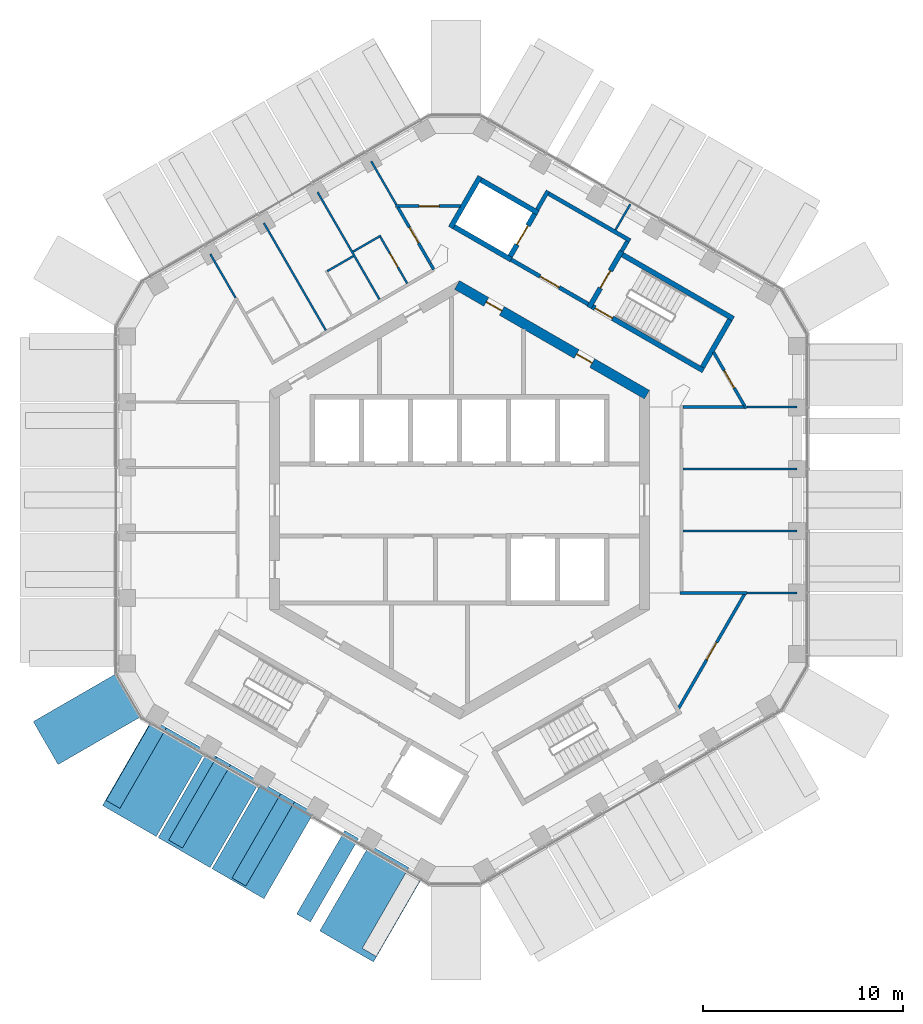
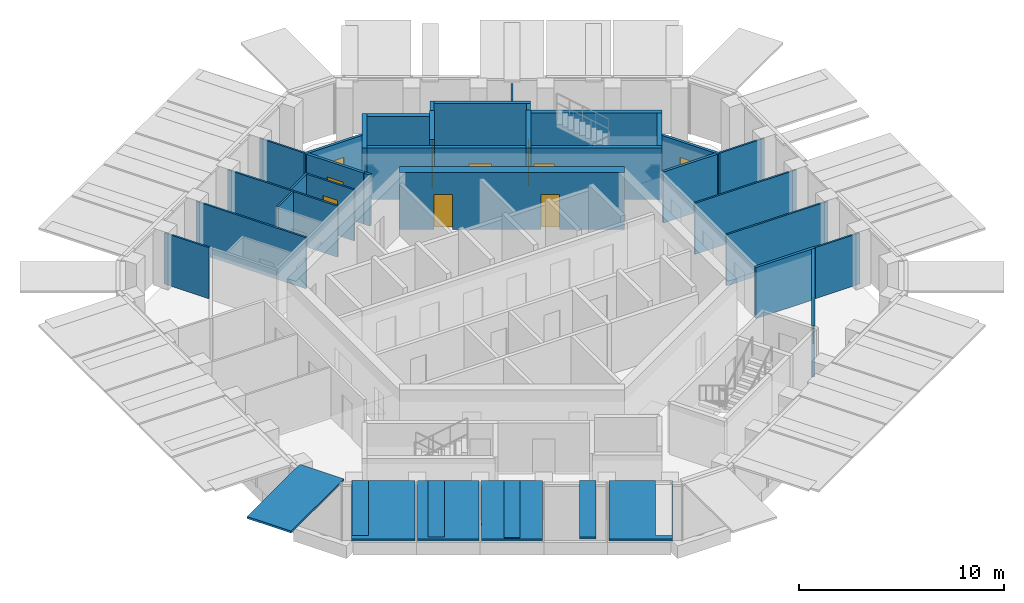
# One storey, part 14 of 17: 32 walls, 11 doors, 9 discrete accessories, 11 openings.
"""IFC4 building model written with IfcOpenShell, lengths in metres."""

from ifc_helpers import new_model, si_unit, direction, frame, frame_2d, origin, origin_2d, place, context, subcontext, project, spatial, polyline, rectangle, outline, extrude, material, layer, layer_set, type_object, element, fill, save


model = new_model("IFC4")

# Units and contexts
model_context = context("Model", 3, precision=1e-05, world=origin(), true_north=direction((0.0, 1.0)))
body_context = subcontext(model_context, "Body", "Model", "MODEL_VIEW")
ifc_project = project(units=[si_unit("LENGTHUNIT", "METRE"), si_unit("AREAUNIT", "SQUARE_METRE"), si_unit("VOLUMEUNIT", "CUBIC_METRE"), si_unit("PLANEANGLEUNIT", "RADIAN"), si_unit("MASSUNIT", "GRAM", prefix="KILO")], contexts=[model_context])

# Site, building, storey
site_placement = place(None, origin())
site = spatial("IfcSite", under=ifc_project, at=site_placement, CompositionType="ELEMENT")
building_placement = place(site_placement, origin())
building = spatial("IfcBuilding", under=site, at=building_placement, Name="Ayvan Gate Tower", CompositionType="ELEMENT")
storey_placement = place(building_placement, frame((0.0, 0.0, 232.5)))
storey = spatial("IfcBuildingStorey", under=building, at=storey_placement, Name="L62", CompositionType="ELEMENT", Elevation=232.5)

# Wall, openings, doors
ifc_material_1 = material(Name="Concrete C60/75", Category="concrete")
ifc_layer_1 = layer(ifc_material_1, 0.5)
ifc_layer_set_1 = layer_set([ifc_layer_1], Name="Concrete C60/75")
wall_type_1 = type_object("IfcWallType", Name="Core wall 500 C60/75", PredefinedType="SHEAR", material=ifc_layer_set_1)
wall_1_placement = place(storey_placement, frame((9.375, 5.268310546875, 0.0), z_axis=(0.0, 0.0, 1.0), x_axis=(-0.866023993627, 0.500002442456, 0.0)))
wall_1 = element("IfcWall", 1, at=wall_1_placement, inside=storey, type_object=wall_type_1, Name="CORE-L62-1", PredefinedType="SHEAR", context=body_context, shape_type="SweptSolid", body=[
    extrude(rectangle(XDim=10.9697265625, YDim=0.5, at=frame_2d((5.48486328125, 0.0))), origin(), (0.0, 0.0, 1.0), 3.39990234375),
])
opening_1_placement = place(wall_1_placement, frame((8.3828125, 0.0, 0.0)))
opening_1 = element("IfcOpeningElement", 2, at=opening_1_placement, cuts=wall_1, Name="Opening L62-D40", PredefinedType="OPENING", context=body_context, shape_type="SweptSolid", body=[
    extrude(rectangle(XDim=0.89990234375, YDim=2.10009765625, at=frame_2d((0.449951171875, 1.050048828125))), frame((0.0, 0.260009765625, 0.0), z_axis=(0.0, -1.0, 0.0), x_axis=(1.0, 0.0, 0.0)), (0.0, 0.0, 1.0), 0.52001953125),
])
opening_2_placement = place(wall_1_placement, frame((3.164794921875, 0.0, 0.0)))
opening_2 = element("IfcOpeningElement", 3, at=opening_2_placement, cuts=wall_1, Name="Opening L62-D41", PredefinedType="OPENING", context=body_context, shape_type="SweptSolid", body=[
    extrude(rectangle(XDim=0.89990234375, YDim=2.10009765625, at=frame_2d((0.449951171875, 1.050048828125))), frame((0.0, 0.260009765625, 0.0), z_axis=(0.0, -1.0, 0.0), x_axis=(1.0, 0.0, 0.0)), (0.0, 0.0, 1.0), 0.52001953125),
])
ifc_material_2 = material(Name="Timber door leaf", Category="wood")
door_type_1 = type_object("IfcDoorType", Name="DT-900", OperationType="NOTDEFINED", PredefinedType="DOOR", material=ifc_material_2)
door_1_placement = place(opening_1_placement, origin())
door_1 = element("IfcDoor", 4, at=door_1_placement, inside=storey, type_object=door_type_1, Name="CD-L62-40", OperationType="SINGLE_SWING_RIGHT", OverallHeight=2.10009765625, OverallWidth=0.89990234375, PredefinedType="DOOR", context=body_context, shape_type="SweptSolid", body=[
    extrude(rectangle(XDim=0.89990234375, YDim=2.10009765625, at=frame_2d((0.449951171875, 1.050048828125))), frame((0.0, 0.02490234375, 0.0), z_axis=(0.0, -1.0, 0.0), x_axis=(1.0, 0.0, 0.0)), (0.0, 0.0, 1.0), 0.050048828125),
])
fill(opening_1, door_1)
door_2_placement = place(opening_2_placement, origin())
door_2 = element("IfcDoor", 5, at=door_2_placement, inside=storey, type_object=door_type_1, Name="CD-L62-41", OperationType="SINGLE_SWING_LEFT", OverallHeight=2.10009765625, OverallWidth=0.89990234375, PredefinedType="DOOR", context=body_context, shape_type="SweptSolid", body=[
    extrude(rectangle(XDim=0.89990234375, YDim=2.10009765625, at=frame_2d((0.449951171875, 1.050048828125))), frame((0.0, 0.02490234375, 0.0), z_axis=(0.0, -1.0, 0.0), x_axis=(1.0, 0.0, 0.0)), (0.0, 0.0, 1.0), 0.050048828125),
])
fill(opening_2, door_2)

# Wall, opening, door
ifc_material_3 = material(Name="Plasterboard on steel stud", Category="steel")
ifc_layer_2 = layer(ifc_material_3, 0.14990234375)
ifc_layer_set_2 = layer_set([ifc_layer_2], Name="Plasterboard on steel stud")
wall_type_2 = type_object("IfcWallType", Name="WT-CORR-150", PredefinedType="PARTITIONING", material=ifc_layer_set_2)
wall_2_placement = place(storey_placement, frame((-3.1962890625, 14.69873046875, 0.0), z_axis=(0.0, 0.0, 1.0), x_axis=(1.0, 0.0, 0.0)))
wall_2 = element("IfcWall", 6, at=wall_2_placement, inside=storey, type_object=wall_type_2, Name="IW-L62-032", PredefinedType="PARTITIONING", context=body_context, shape_type="SweptSolid", body=[
    extrude(rectangle(XDim=3.243896484375, YDim=0.14990234375, at=frame_2d((1.6220703125, 0.0))), origin(), (0.0, 0.0, 1.0), 3.050048828125),
])
opening_3_placement = place(wall_2_placement, frame((1.1767578125, 0.0, 0.0)))
opening_3 = element("IfcOpeningElement", 7, at=opening_3_placement, cuts=wall_2, Name="Opening L62-D26", PredefinedType="OPENING", context=body_context, shape_type="SweptSolid", body=[
    extrude(rectangle(XDim=1.0, YDim=2.10009765625, at=frame_2d((0.5, 1.050048828125))), frame((0.0, 0.0849609375, 0.0), z_axis=(0.0, -1.0, 0.0), x_axis=(1.0, 0.0, 0.0)), (0.0, 0.0, 1.0), 0.169921875),
])
door_type_2 = type_object("IfcDoorType", Name="DT-1000", OperationType="NOTDEFINED", PredefinedType="DOOR", material=ifc_material_2)
door_3_placement = place(opening_3_placement, origin())
door_3 = element("IfcDoor", 8, at=door_3_placement, inside=storey, type_object=door_type_2, Name="ID-L62-026", OperationType="SINGLE_SWING_RIGHT", OverallHeight=2.10009765625, OverallWidth=1.0, PredefinedType="DOOR", context=body_context, shape_type="SweptSolid", body=[
    extrude(rectangle(XDim=1.0, YDim=2.10009765625, at=frame_2d((0.5, 1.050048828125))), frame((0.0, 0.02490234375, 0.0), z_axis=(0.0, -1.0, 0.0), x_axis=(1.0, 0.0, 0.0)), (0.0, 0.0, 1.0), 0.050048828125),
])
fill(opening_3, door_3)

wall_3_placement = place(storey_placement, frame((-1.474365234375, 11.84619140625, 0.0), z_axis=(0.0, 0.0, 1.0), x_axis=(-0.499989454812, 0.866031491966, 0.0)))
wall_3 = element("IfcWall", 9, at=wall_3_placement, inside=storey, type_object=wall_type_2, Name="IW-L62-037", PredefinedType="PARTITIONING", context=body_context, shape_type="SweptSolid", body=[
    extrude(rectangle(XDim=3.21875, YDim=0.14990234375, at=frame_2d((1.609375, 0.0))), origin(), (0.0, 0.0, 1.0), 3.050048828125),
])
opening_4_placement = place(wall_3_placement, frame((1.159423828125, 0.0, 0.0)))
opening_4 = element("IfcOpeningElement", 10, at=opening_4_placement, cuts=wall_3, Name="Opening L62-D32", PredefinedType="OPENING", context=body_context, shape_type="SweptSolid", body=[
    extrude(rectangle(XDim=0.89990234375, YDim=2.10009765625, at=frame_2d((0.449951171875, 1.050048828125))), frame((0.0, 0.0849609375, 0.0), z_axis=(0.0, -1.0, 0.0), x_axis=(1.0, 0.0, 0.0)), (0.0, 0.0, 1.0), 0.169921875),
])
door_4_placement = place(opening_4_placement, origin())
door_4 = element("IfcDoor", 11, at=door_4_placement, inside=storey, type_object=door_type_1, Name="ID-L62-032", OperationType="SINGLE_SWING_RIGHT", OverallHeight=2.10009765625, OverallWidth=0.89990234375, PredefinedType="DOOR", context=body_context, shape_type="SweptSolid", body=[
    extrude(rectangle(XDim=0.89990234375, YDim=2.10009765625, at=frame_2d((0.449951171875, 1.050048828125))), frame((0.0, 0.02490234375, 0.0), z_axis=(0.0, -1.0, 0.0), x_axis=(1.0, 0.0, 0.0)), (0.0, 0.0, 1.0), 0.050048828125),
])
fill(opening_4, door_4)

# Walls
wall_4_placement = place(storey_placement, frame((-1.46435546875, 11.8291015625, 0.0), z_axis=(0.0, 0.0, 1.0), x_axis=(0.499806183056, -0.866137275136, 0.0)))
element("IfcWall", 12, at=wall_4_placement, inside=storey, type_object=wall_type_2, Name="IW-L62-038", PredefinedType="PARTITIONING", context=body_context, shape_type="SweptSolid", body=[
    extrude(rectangle(XDim=0.336669921875, YDim=0.14990234375, at=frame_2d((0.16845703125, 0.0))), origin(), (0.0, 0.0, 1.0), 3.050048828125),
])
wall_5_placement = place(storey_placement, frame((11.02490234375, -4.646240234375, 0.0), z_axis=(0.0, 0.0, 1.0), x_axis=(1.0, 0.0, 0.0)))
element("IfcWall", 13, at=wall_5_placement, inside=storey, type_object=wall_type_2, Name="IW-L62-075", PredefinedType="PARTITIONING", context=body_context, shape_type="SweptSolid", body=[
    extrude(rectangle(XDim=3.34033203125, YDim=0.14990234375, at=frame_2d((1.670166015625, 0.0))), origin(), (0.0, 0.0, 1.0), 3.050048828125),
])

# Wall, opening, door
wall_6_placement = place(storey_placement, frame((12.705810546875, 7.390625, 0.0), z_axis=(0.0, 0.0, 1.0), x_axis=(0.499967850536, -0.866043964491, 0.0)))
wall_6 = element("IfcWall", 14, at=wall_6_placement, inside=storey, type_object=wall_type_2, Name="IW-L62-080", PredefinedType="PARTITIONING", context=body_context, shape_type="SweptSolid", body=[
    extrude(rectangle(XDim=3.243896484375, YDim=0.14990234375, at=frame_2d((1.6220703125, 0.0))), origin(), (0.0, 0.0, 1.0), 3.050048828125),
])
opening_5_placement = place(wall_6_placement, frame((1.067138671875, 0.0, 0.0)))
opening_5 = element("IfcOpeningElement", 15, at=opening_5_placement, cuts=wall_6, Name="Opening L62-D25", PredefinedType="OPENING", context=body_context, shape_type="SweptSolid", body=[
    extrude(rectangle(XDim=1.0, YDim=2.10009765625, at=frame_2d((0.5, 1.050048828125))), frame((0.0, 0.0849609375, 0.0), z_axis=(0.0, -1.0, 0.0), x_axis=(1.0, 0.0, 0.0)), (0.0, 0.0, 1.0), 0.169921875),
])
door_5_placement = place(opening_5_placement, origin())
door_5 = element("IfcDoor", 16, at=door_5_placement, inside=storey, type_object=door_type_2, Name="ID-L62-025", OperationType="SINGLE_SWING_LEFT", OverallHeight=2.10009765625, OverallWidth=1.0, PredefinedType="DOOR", context=body_context, shape_type="SweptSolid", body=[
    extrude(rectangle(XDim=1.0, YDim=2.10009765625, at=frame_2d((0.5, 1.050048828125))), frame((0.0, 0.02490234375, 0.0), z_axis=(0.0, -1.0, 0.0), x_axis=(1.0, 0.0, 0.0)), (0.0, 0.0, 1.0), 0.050048828125),
])
fill(opening_5, door_5)

# Wall
wall_7_placement = place(storey_placement, frame((14.215087890625, 4.646240234375, 0.0), z_axis=(0.0, 0.0, 1.0), x_axis=(-1.0, 0.0, 0.0)))
element("IfcWall", 17, at=wall_7_placement, inside=storey, type_object=wall_type_2, Name="IW-L62-082", PredefinedType="PARTITIONING", context=body_context, shape_type="SweptSolid", body=[
    extrude(rectangle(XDim=3.040283203125, YDim=0.14990234375, at=frame_2d((1.52001953125, 0.0))), origin(), (0.0, 0.0, 1.0), 3.050048828125),
])

# Wall, opening, door
wall_8_placement = place(storey_placement, frame((14.252685546875, -4.711181640625, 0.0), z_axis=(0.0, 0.0, 1.0), x_axis=(-0.500008173903, -0.866020684528, 0.0)))
wall_8 = element("IfcWall", 18, at=wall_8_placement, inside=storey, type_object=wall_type_2, Name="IW-L62-084", PredefinedType="PARTITIONING", context=body_context, shape_type="SweptSolid", body=[
    extrude(rectangle(XDim=6.5830078125, YDim=0.14990234375, at=frame_2d((3.29150390625, 0.0))), origin(), (0.0, 0.0, 1.0), 3.050048828125),
])
opening_6_placement = place(wall_8_placement, frame((2.79150390625, 0.0, 0.0)))
opening_6 = element("IfcOpeningElement", 19, at=opening_6_placement, cuts=wall_8, Name="Opening L62-D31", PredefinedType="OPENING", context=body_context, shape_type="SweptSolid", body=[
    extrude(rectangle(XDim=1.0, YDim=2.10009765625, at=frame_2d((0.5, 1.050048828125))), frame((0.0, 0.0849609375, 0.0), z_axis=(0.0, -1.0, 0.0), x_axis=(1.0, 0.0, 0.0)), (0.0, 0.0, 1.0), 0.169921875),
])
door_6_placement = place(opening_6_placement, origin())
door_6 = element("IfcDoor", 20, at=door_6_placement, inside=storey, type_object=door_type_2, Name="ID-L62-031", OperationType="SINGLE_SWING_LEFT", OverallHeight=2.10009765625, OverallWidth=1.0, PredefinedType="DOOR", context=body_context, shape_type="SweptSolid", body=[
    extrude(rectangle(XDim=1.0, YDim=2.10009765625, at=frame_2d((0.5, 1.050048828125))), frame((0.0, 0.02490234375, 0.0), z_axis=(0.0, -1.0, 0.0), x_axis=(1.0, 0.0, 0.0)), (0.0, 0.0, 1.0), 0.050048828125),
])
fill(opening_6, door_6)

# Walls
ifc_layer_3 = layer(ifc_material_3, 0.10009765625)
ifc_layer_set_3 = layer_set([ifc_layer_3], Name="Plasterboard on steel stud")
wall_type_3 = type_object("IfcWallType", Name="WT-PART-100", PredefinedType="PARTITIONING", material=ifc_layer_set_3)
wall_9_placement = place(storey_placement, frame((-12.467529296875, 12.3017578125, 0.0), z_axis=(0.0, 0.0, 1.0), x_axis=(0.500032459767, -0.866006662318, 0.0)))
element("IfcWall", 21, at=wall_9_placement, inside=storey, type_object=wall_type_3, Name="IW-L62-003", PredefinedType="PARTITIONING", context=body_context, shape_type="SweptSolid", body=[
    extrude(rectangle(XDim=2.522216796875, YDim=0.10009765625, at=frame_2d((1.26123046875, 0.0))), origin(), (0.0, 0.0, 1.0), 3.050048828125),
])
wall_10_placement = place(storey_placement, frame((-6.688720703125, 8.48779296875, 0.0), z_axis=(0.0, 0.0, 1.0), x_axis=(-0.499997752344, 0.866026701465, 0.0)))
element("IfcWall", 22, at=wall_10_placement, inside=storey, type_object=wall_type_3, Name="IW-L62-020", PredefinedType="PARTITIONING", context=body_context, shape_type="SweptSolid", body=[
    extrude(rectangle(XDim=6.1923828125, YDim=0.10009765625, at=frame_2d((3.09619140625, 0.0))), origin(), (0.0, 0.0, 1.0), 3.050048828125),
])
wall_11_placement = place(storey_placement, frame((-7.1025390625, 15.3994140625, 0.0), z_axis=(0.0, 0.0, 1.0), x_axis=(0.500027320894, -0.866009629484, 0.0)))
element("IfcWall", 23, at=wall_11_placement, inside=storey, type_object=wall_type_3, Name="IW-L62-023", PredefinedType="PARTITIONING", context=body_context, shape_type="SweptSolid", body=[
    extrude(rectangle(XDim=6.192626953125, YDim=0.10009765625, at=frame_2d((3.09619140625, 0.0))), origin(), (0.0, 0.0, 1.0), 3.050048828125),
])
wall_12_placement = place(storey_placement, frame((-5.31201171875, 12.1982421875, 0.0), z_axis=(0.0, 0.0, 1.0), x_axis=(-0.866031096941, -0.499990139034, 0.0)))
element("IfcWall", 24, at=wall_12_placement, inside=storey, type_object=wall_type_3, Name="IW-L62-024", PredefinedType="PARTITIONING", context=body_context, shape_type="SweptSolid", body=[
    extrude(rectangle(XDim=1.5, YDim=0.10009765625, at=frame_2d((0.75, 0.0))), origin(), (0.0, 0.0, 1.0), 3.050048828125),
])
wall_13_placement = place(storey_placement, frame((-3.939697265625, 13.221435546875, 0.0), z_axis=(0.0, 0.0, 1.0), x_axis=(-0.866028054938, -0.499995408039, 0.0)))
element("IfcWall", 25, at=wall_13_placement, inside=storey, type_object=wall_type_3, Name="IW-L62-027", PredefinedType="PARTITIONING", context=body_context, shape_type="SweptSolid", body=[
    extrude(rectangle(XDim=1.60009765625, YDim=0.10009765625, at=frame_2d((0.800048828125, 0.0))), origin(), (0.0, 0.0, 1.0), 3.050048828125),
])
wall_14_placement = place(storey_placement, frame((-3.15869140625, 14.763916015625, 0.0), z_axis=(0.0, 0.0, 1.0), x_axis=(-0.500032459767, 0.866006662318, 0.0)))
element("IfcWall", 26, at=wall_14_placement, inside=storey, type_object=wall_type_3, Name="IW-L62-031", PredefinedType="PARTITIONING", context=body_context, shape_type="SweptSolid", body=[
    extrude(rectangle(XDim=2.522216796875, YDim=0.10009765625, at=frame_2d((1.26123046875, 0.0))), origin(), (0.0, 0.0, 1.0), 3.050048828125),
])

# Wall, opening, door
wall_15_placement = place(storey_placement, frame((-2.62060546875, 10.83642578125, 0.0), z_axis=(0.0, 0.0, 1.0), x_axis=(-0.499967368674, 0.86604424267, 0.0)))
wall_15 = element("IfcWall", 27, at=wall_15_placement, inside=storey, type_object=wall_type_3, Name="IW-L62-033", PredefinedType="PARTITIONING", context=body_context, shape_type="SweptSolid", body=[
    extrude(rectangle(XDim=2.675048828125, YDim=0.10009765625, at=frame_2d((1.33740234375, 0.0))), origin(), (0.0, 0.0, 1.0), 3.050048828125),
])
opening_7_placement = place(wall_15_placement, frame((0.9375, 0.0, 0.0)))
opening_7 = element("IfcOpeningElement", 28, at=opening_7_placement, cuts=wall_15, Name="Opening L62-D33", PredefinedType="OPENING", context=body_context, shape_type="SweptSolid", body=[
    extrude(rectangle(XDim=0.800048828125, YDim=2.10009765625, at=frame_2d((0.39990234375, 1.050048828125))), frame((0.0, 0.06005859375, 0.0), z_axis=(0.0, -1.0, 0.0), x_axis=(1.0, 0.0, 0.0)), (0.0, 0.0, 1.0), 0.1201171875),
])
door_type_3 = type_object("IfcDoorType", Name="DT-800", OperationType="NOTDEFINED", PredefinedType="DOOR", material=ifc_material_2)
door_7_placement = place(opening_7_placement, origin())
door_7 = element("IfcDoor", 29, at=door_7_placement, inside=storey, type_object=door_type_3, Name="ID-L62-033", OperationType="SINGLE_SWING_LEFT", OverallHeight=2.10009765625, OverallWidth=0.800048828125, PredefinedType="DOOR", context=body_context, shape_type="SweptSolid", body=[
    extrude(rectangle(XDim=0.800048828125, YDim=2.10009765625, at=frame_2d((0.39990234375, 1.050048828125))), frame((0.0, 0.02490234375, 0.0), z_axis=(0.0, -1.0, 0.0), x_axis=(1.0, 0.0, 0.0)), (0.0, 0.0, 1.0), 0.050048828125),
])
fill(opening_7, door_7)

# Walls
wall_16_placement = place(storey_placement, frame((7.800048828125, 13.510009765625, 0.0), z_axis=(0.0, 0.0, 1.0), x_axis=(0.500048082433, 0.865997641599, 0.0)))
element("IfcWall", 30, at=wall_16_placement, inside=storey, type_object=wall_type_3, Name="IW-L62-068", PredefinedType="PARTITIONING", context=body_context, shape_type="SweptSolid", body=[
    extrude(rectangle(XDim=1.470947265625, YDim=0.10009765625, at=frame_2d((0.7353515625, 0.0))), origin(), (0.0, 0.0, 1.0), 3.050048828125),
])
for number, where, z_axis, x_axis, name in (
    (31, (11.175048828125, -1.548828125, 0.0), (0.0, 0.0, 1.0), (1.0, 0.0, 0.0), "IW-L62-076"),
    (32, (11.175048828125, 1.548828125, 0.0), (0.0, 0.0, 1.0), (1.0, 0.0, 0.0), "IW-L62-078"),
):
    element("IfcWall", number, at=place(storey_placement, frame(where, z_axis=z_axis, x_axis=x_axis)), inside=storey, type_object=wall_type_3, Name=name, PredefinedType="PARTITIONING", context=body_context, shape_type="SweptSolid", body=[
        extrude(rectangle(XDim=5.71240234375, YDim=0.10009765625, at=frame_2d((2.856201171875, 0.0))), origin(), (0.0, 0.0, 1.0), 3.050048828125),
    ])
wall_17_placement = place(storey_placement, frame((14.365234375, 4.646240234375, 0.0), z_axis=(0.0, 0.0, 1.0), x_axis=(1.0, 0.0, 0.0)))
element("IfcWall", 33, at=wall_17_placement, inside=storey, type_object=wall_type_3, Name="IW-L62-083", PredefinedType="PARTITIONING", context=body_context, shape_type="SweptSolid", body=[
    extrude(rectangle(XDim=2.522216796875, YDim=0.10009765625, at=frame_2d((1.26123046875, 0.0))), origin(), (0.0, 0.0, 1.0), 3.050048828125),
])
wall_18_placement = place(storey_placement, frame((16.887451171875, -4.646240234375, 0.0), z_axis=(0.0, 0.0, 1.0), x_axis=(-1.0, 0.0, 0.0)))
element("IfcWall", 34, at=wall_18_placement, inside=storey, type_object=wall_type_3, Name="IW-L62-085", PredefinedType="PARTITIONING", context=body_context, shape_type="SweptSolid", body=[
    extrude(rectangle(XDim=2.5224609375, YDim=0.10009765625, at=frame_2d((1.26123046875, 0.0))), origin(), (0.0, 0.0, 1.0), 3.050048828125),
])
ifc_layer_4 = layer(ifc_material_3, 0.199951171875)
ifc_layer_set_4 = layer_set([ifc_layer_4], Name="Plasterboard on steel stud")
wall_type_4 = type_object("IfcWallType", Name="WT-RATED-200", PredefinedType="PARTITIONING", material=ifc_layer_set_4)
wall_19_placement = place(storey_placement, frame((3.885009765625, 14.52880859375, 0.0), z_axis=(0.0, 0.0, 1.0), x_axis=(0.499997628298, 0.866026773083, 0.0)))
element("IfcWall", 35, at=wall_19_placement, inside=storey, type_object=wall_type_4, Name="IW-L62-054", PredefinedType="PARTITIONING", context=body_context, shape_type="SweptSolid", body=[
    extrude(rectangle(XDim=1.0751953125, YDim=0.199951171875, at=frame_2d((0.53759765625, 0.0))), origin(), (0.0, 0.0, 1.0), 3.050048828125),
])
wall_20_placement = place(storey_placement, frame((4.458984375, 15.323486328125, 0.0), z_axis=(0.0, 0.0, 1.0), x_axis=(0.866016039709, -0.500016218704, 0.0)))
element("IfcWall", 36, at=wall_20_placement, inside=storey, type_object=wall_type_4, Name="IW-L62-055", PredefinedType="PARTITIONING", context=body_context, shape_type="SweptSolid", body=[
    extrude(rectangle(XDim=4.699951171875, YDim=0.199951171875, at=frame_2d((2.35009765625, 0.0))), origin(), (0.0, 0.0, 1.0), 3.050048828125),
])

# Wall, opening, door
wall_21_placement = place(storey_placement, frame((6.4345703125, 9.794921875, 0.0), z_axis=(0.0, 0.0, 1.0), x_axis=(-0.866012907634, 0.500021643343, 0.0)))
wall_21 = element("IfcWall", 37, at=wall_21_placement, inside=storey, type_object=wall_type_4, Name="IW-L62-060", PredefinedType="PARTITIONING", context=body_context, shape_type="SweptSolid", body=[
    extrude(rectangle(XDim=4.449951171875, YDim=0.199951171875, at=frame_2d((2.22509765625, 0.0))), origin(), (0.0, 0.0, 1.0), 3.050048828125),
])
opening_8_placement = place(wall_21_placement, frame((1.675048828125, 0.0, 0.0)))
opening_8 = element("IfcOpeningElement", 38, at=opening_8_placement, cuts=wall_21, Name="Opening L62-D13", PredefinedType="OPENING", context=body_context, shape_type="SweptSolid", body=[
    extrude(rectangle(XDim=1.10009765625, YDim=2.10009765625, at=frame_2d((0.550048828125, 1.050048828125))), frame((0.0, 0.10986328125, 0.0), z_axis=(0.0, -1.0, 0.0), x_axis=(1.0, 0.0, 0.0)), (0.0, 0.0, 1.0), 0.219970703125),
])
door_type_4 = type_object("IfcDoorType", Name="DT-1100", OperationType="NOTDEFINED", PredefinedType="DOOR", material=ifc_material_2)
door_8_placement = place(opening_8_placement, origin())
door_8 = element("IfcDoor", 39, at=door_8_placement, inside=storey, type_object=door_type_4, Name="ID-L62-013", OperationType="SINGLE_SWING_LEFT", OverallHeight=2.10009765625, OverallWidth=1.10009765625, PredefinedType="DOOR", context=body_context, shape_type="SweptSolid", body=[
    extrude(rectangle(XDim=1.10009765625, YDim=2.10009765625, at=frame_2d((0.550048828125, 1.050048828125))), frame((0.0, 0.02490234375, 0.0), z_axis=(0.0, -1.0, 0.0), x_axis=(1.0, 0.0, 0.0)), (0.0, 0.0, 1.0), 0.050048828125),
])
fill(opening_8, door_8)

# Walls
wall_22_placement = place(storey_placement, frame((8.392822265625, 12.936767578125, 0.0), z_axis=(0.0, 0.0, 1.0), x_axis=(-0.500065409566, -0.86598763626, 0.0)))
element("IfcWall", 40, at=wall_22_placement, inside=storey, type_object=wall_type_4, Name="IW-L62-070", PredefinedType="PARTITIONING", context=body_context, shape_type="SweptSolid", body=[
    extrude(rectangle(XDim=0.5751953125, YDim=0.199951171875, at=frame_2d((0.28759765625, 0.0))), origin(), (0.0, 0.0, 1.0), 3.050048828125),
])
ifc_material_4 = material(Name="Concrete C50/60", Category="concrete")
ifc_layer_5 = layer(ifc_material_4, 0.25)
ifc_layer_set_5 = layer_set([ifc_layer_5], Name="Concrete C50/60")
wall_type_5 = type_object("IfcWallType", Name="WT-RC-250", PredefinedType="SHEAR", material=ifc_layer_set_5)
wall_23_placement = place(storey_placement, frame((-0.447998046875, 13.624267578125, 0.0), z_axis=(0.0, 0.0, 1.0), x_axis=(0.500037662692, 0.866003658127, 0.0)))
element("IfcWall", 41, at=wall_23_placement, inside=storey, type_object=wall_type_5, Name="IW-L62-042", PredefinedType="SHEAR", context=body_context, shape_type="SweptSolid", body=[
    extrude(rectangle(XDim=2.949951171875, YDim=0.25, at=frame_2d((1.47509765625, 0.0))), origin(), (0.0, 0.0, 1.0), 3.050048828125),
])
for number, where, z_axis, x_axis, name in (
    (42, (1.072998046875, 16.00830078125, 0.0), (0.0, 0.0, 1.0), (0.866040211805, -0.499974350878, 0.0), "IW-L62-046"),
    (43, (2.580810546875, 12.02001953125, 0.0), (0.0, 0.0, 1.0), (-0.866040211805, 0.499974350878, 0.0), "IW-L62-050"),
):
    element("IfcWall", number, at=place(storey_placement, frame(where, z_axis=z_axis, x_axis=x_axis)), inside=storey, type_object=wall_type_5, Name=name, PredefinedType="SHEAR", context=body_context, shape_type="SweptSolid", body=[
        extrude(rectangle(XDim=3.300048828125, YDim=0.25, at=frame_2d((1.64990234375, 0.0))), origin(), (0.0, 0.0, 1.0), 3.050048828125),
    ])

# Wall, opening, door
wall_24_placement = place(storey_placement, frame((2.534912109375, 12.19091796875, 0.0), z_axis=(0.0, 0.0, 1.0), x_axis=(0.500061746146, 0.865989751695, 0.0)))
wall_24 = element("IfcWall", 44, at=wall_24_placement, inside=storey, type_object=wall_type_5, Name="IW-L62-051", PredefinedType="SHEAR", context=body_context, shape_type="SweptSolid", body=[
    extrude(rectangle(XDim=2.449951171875, YDim=0.25, at=frame_2d((1.22509765625, 0.0))), origin(), (0.0, 0.0, 1.0), 3.39990234375),
])
opening_9_placement = place(wall_24_placement, frame((0.675048828125, 0.0, 0.0)))
opening_9 = element("IfcOpeningElement", 45, at=opening_9_placement, cuts=wall_24, Name="Opening L62-LD-FF1", PredefinedType="OPENING", context=body_context, shape_type="SweptSolid", body=[
    extrude(rectangle(XDim=1.10009765625, YDim=2.10009765625, at=frame_2d((0.550048828125, 1.050048828125))), frame((0.0, 0.135009765625, 0.0), z_axis=(0.0, -1.0, 0.0), x_axis=(1.0, 0.0, 0.0)), (0.0, 0.0, 1.0), 0.27001953125),
])
ifc_material_5 = material(Name="Stainless steel landing door", Category="steel")
door_type_5 = type_object("IfcDoorType", Name="DT-LANDING-1100", OperationType="SLIDING_TO_LEFT", PredefinedType="DOOR", material=ifc_material_5)
door_9_placement = place(opening_9_placement, origin())
door_9 = element("IfcDoor", 46, at=door_9_placement, inside=storey, type_object=door_type_5, Name="ID-L62-014", OperationType="SLIDING_TO_LEFT", OverallHeight=2.10009765625, OverallWidth=1.10009765625, PredefinedType="DOOR", context=body_context, shape_type="SweptSolid", body=[
    extrude(rectangle(XDim=1.10009765625, YDim=2.10009765625, at=frame_2d((0.550048828125, 1.050048828125))), frame((0.0, 0.02490234375, 0.0), z_axis=(0.0, -1.0, 0.0), x_axis=(1.0, 0.0, 0.0)), (0.0, 0.0, 1.0), 0.050048828125),
])
fill(opening_9, door_9)

wall_25_placement = place(storey_placement, frame((6.480224609375, 9.624267578125, 0.0), z_axis=(0.0, 0.0, 1.0), x_axis=(0.500017246033, 0.866015446554, 0.0)))
wall_25 = element("IfcWall", 47, at=wall_25_placement, inside=storey, type_object=wall_type_5, Name="IW-L62-061", PredefinedType="SHEAR", context=body_context, shape_type="SweptSolid", body=[
    extrude(rectangle(XDim=3.25, YDim=0.25, at=frame_2d((1.625, 0.0))), origin(), (0.0, 0.0, 1.0), 3.050048828125),
])
opening_10_placement = place(wall_25_placement, frame((1.125, 0.0, 0.0)))
opening_10 = element("IfcOpeningElement", 48, at=opening_10_placement, cuts=wall_25, Name="Opening L62-D12", PredefinedType="OPENING", context=body_context, shape_type="SweptSolid", body=[
    extrude(rectangle(XDim=1.0, YDim=2.10009765625, at=frame_2d((0.5, 1.050048828125))), frame((0.0, 0.135009765625, 0.0), z_axis=(0.0, -1.0, 0.0), x_axis=(1.0, 0.0, 0.0)), (0.0, 0.0, 1.0), 0.27001953125),
])
door_10_placement = place(opening_10_placement, origin())
door_10 = element("IfcDoor", 49, at=door_10_placement, inside=storey, type_object=door_type_2, Name="ID-L62-012", OperationType="SINGLE_SWING_RIGHT", OverallHeight=2.10009765625, OverallWidth=1.0, PredefinedType="DOOR", context=body_context, shape_type="SweptSolid", body=[
    extrude(rectangle(XDim=1.0, YDim=2.10009765625, at=frame_2d((0.5, 1.050048828125))), frame((0.0, 0.02490234375, 0.0), z_axis=(0.0, -1.0, 0.0), x_axis=(1.0, 0.0, 0.0)), (0.0, 0.0, 1.0), 0.050048828125),
])
fill(opening_10, door_10)

# Wall
wall_26_placement = place(storey_placement, frame((8.151123046875, 12.26806640625, 0.0), z_axis=(0.0, 0.0, 1.0), x_axis=(0.866025499775, -0.499999833739, 0.0)))
element("IfcWall", 50, at=wall_26_placement, inside=storey, type_object=wall_type_5, Name="IW-L62-069", PredefinedType="SHEAR", context=body_context, shape_type="SweptSolid", body=[
    extrude(rectangle(XDim=6.39990234375, YDim=0.25, at=frame_2d((3.199951171875, 0.0))), origin(), (0.0, 0.0, 1.0), 3.050048828125),
])

# Wall, opening, door
wall_27_placement = place(storey_placement, frame((12.193603515625, 6.469970703125, 0.0), z_axis=(0.0, 0.0, 1.0), x_axis=(-0.866025499775, 0.499999833739, 0.0)))
wall_27 = element("IfcWall", 51, at=wall_27_placement, inside=storey, type_object=wall_type_5, Name="IW-L62-079", PredefinedType="SHEAR", context=body_context, shape_type="SweptSolid", body=[
    extrude(rectangle(XDim=6.39990234375, YDim=0.25, at=frame_2d((3.199951171875, 0.0))), origin(), (0.0, 0.0, 1.0), 3.050048828125),
])
opening_11_placement = place(wall_27_placement, frame((5.25, 0.0, 0.0)))
opening_11 = element("IfcOpeningElement", 52, at=opening_11_placement, cuts=wall_27, Name="Opening L62-D11", PredefinedType="OPENING", context=body_context, shape_type="SweptSolid", body=[
    extrude(rectangle(XDim=1.0, YDim=2.10009765625, at=frame_2d((0.5, 1.050048828125))), frame((0.0, 0.135009765625, 0.0), z_axis=(0.0, -1.0, 0.0), x_axis=(1.0, 0.0, 0.0)), (0.0, 0.0, 1.0), 0.27001953125),
])
door_11_placement = place(opening_11_placement, origin())
door_11 = element("IfcDoor", 53, at=door_11_placement, inside=storey, type_object=door_type_2, Name="ID-L62-011", OperationType="SINGLE_SWING_LEFT", OverallHeight=2.10009765625, OverallWidth=1.0, PredefinedType="DOOR", context=body_context, shape_type="SweptSolid", body=[
    extrude(rectangle(XDim=1.0, YDim=2.10009765625, at=frame_2d((0.5, 1.050048828125))), frame((0.0, 0.02490234375, 0.0), z_axis=(0.0, -1.0, 0.0), x_axis=(1.0, 0.0, 0.0)), (0.0, 0.0, 1.0), 0.050048828125),
])
fill(opening_11, door_11)

# Wall
wall_28_placement = place(storey_placement, frame((12.14794921875, 6.640869140625, 0.0), z_axis=(0.0, 0.0, 1.0), x_axis=(0.500034990121, 0.866005201286, 0.0)))
element("IfcWall", 54, at=wall_28_placement, inside=storey, type_object=wall_type_5, Name="IW-L62-081", PredefinedType="SHEAR", context=body_context, shape_type="SweptSolid", body=[
    extrude(rectangle(XDim=2.749755859375, YDim=0.25, at=frame_2d((1.375, 0.0))), origin(), (0.0, 0.0, 1.0), 3.050048828125),
])

# Discrete accessories
ifc_material_6 = material(Name="Stainless steel 316", Category="steel")
ifc_layer_6 = layer(ifc_material_6, 0.1201171875)
ifc_layer_set_6 = layer_set([ifc_layer_6], Name="Stainless steel 316")
discrete_accessory_type = type_object("IfcDiscreteAccessoryType", Name="Fin carrier bracket", PredefinedType="BRACKET", material=ifc_layer_set_6)
discrete_accessory_1_placement = place(storey_placement, frame((-16.167236328125, -13.204345703125, 3.280029296875), z_axis=(0.0, 0.0, 1.0), x_axis=(0.866025403784, -0.5, 0.0)))
element("IfcDiscreteAccessory", 55, at=discrete_accessory_1_placement, inside=storey, type_object=discrete_accessory_type, Name="Fin carrier 228", PredefinedType="BRACKET", context=body_context, shape_type="SweptSolid", body=[
    extrude(rectangle(XDim=0.800048828125, YDim=4.662841796875, at=origin_2d()), origin(), (0.0, 0.0, 1.0), 0.1201171875),
])
discrete_accessory_2_placement = place(storey_placement, frame((-12.99951171875, -15.12353515625, 3.280029296875), z_axis=(0.0, 0.0, 1.0), x_axis=(0.866025403784, -0.5, 0.0)))
element("IfcDiscreteAccessory", 56, at=discrete_accessory_2_placement, inside=storey, type_object=discrete_accessory_type, Name="Fin carrier 293", PredefinedType="BRACKET", context=body_context, shape_type="SweptSolid", body=[
    extrude(rectangle(XDim=0.800048828125, YDim=4.819091796875, at=origin_2d()), origin(), (0.0, 0.0, 1.0), 0.1201171875),
])
discrete_accessory_3_placement = place(storey_placement, frame((-9.8125, -16.995849609375, 3.280029296875), z_axis=(0.0, 0.0, 1.0), x_axis=(0.866025403784, -0.5, 0.0)))
element("IfcDiscreteAccessory", 57, at=discrete_accessory_3_placement, inside=storey, type_object=discrete_accessory_type, Name="Fin carrier 357", PredefinedType="BRACKET", context=body_context, shape_type="SweptSolid", body=[
    extrude(rectangle(XDim=0.800048828125, YDim=4.875, at=origin_2d()), origin(), (0.0, 0.0, 1.0), 0.1201171875),
])
discrete_accessory_4_placement = place(storey_placement, frame((-6.597412109375, -18.81982421875, 3.280029296875), z_axis=(0.0, 0.0, 1.0), x_axis=(0.866025403784, -0.5, 0.0)))
element("IfcDiscreteAccessory", 58, at=discrete_accessory_4_placement, inside=storey, type_object=discrete_accessory_type, Name="Fin carrier 421", PredefinedType="BRACKET", context=body_context, shape_type="SweptSolid", body=[
    extrude(rectangle(XDim=0.800048828125, YDim=4.819091796875, at=origin_2d()), origin(), (0.0, 0.0, 1.0), 0.1201171875),
])
discrete_accessory_5_placement = place(storey_placement, frame((0.0, 0.0, 3.280029296875)))
element("IfcDiscreteAccessory", 59, at=discrete_accessory_5_placement, inside=storey, type_object=discrete_accessory_type, Name="Fin carrier 1153", PredefinedType="BRACKET", context=body_context, shape_type="SweptSolid", body=[
    extrude(outline(polyline([(-21.322998046875, -11.083251953125), (-16.869873046875, -8.51220703125), (-15.62841796875, -10.662109375), (-20.081787109375, -13.233154296875), (-21.322998046875, -11.083251953125)])), origin(), (0.0, 0.0, 1.0), 0.119873046875),
])
discrete_accessory_6_placement = place(storey_placement, frame((0.0, 0.0, 3.280029296875)))
element("IfcDiscreteAccessory", 60, at=discrete_accessory_6_placement, inside=storey, type_object=discrete_accessory_type, Name="Fin carrier 1154", PredefinedType="BRACKET", context=body_context, shape_type="SweptSolid", body=[
    extrude(outline(polyline([(-12.6826171875, -12.524169921875), (-15.170166015625, -16.83251953125), (-17.859130859375, -15.280029296875), (-15.37158203125, -10.9716796875), (-15.347900390625, -10.985107421875), (-17.679443359375, -15.023193359375), (-16.986572265625, -15.42333984375), (-14.6552734375, -11.38525390625), (-12.6826171875, -12.524169921875)])), origin(), (0.0, 0.0, 1.0), 0.119873046875),
])
discrete_accessory_7_placement = place(storey_placement, frame((0.0, 0.0, 3.280029296875)))
element("IfcDiscreteAccessory", 61, at=discrete_accessory_7_placement, inside=storey, type_object=discrete_accessory_type, Name="Fin carrier 1155", PredefinedType="BRACKET", context=body_context, shape_type="SweptSolid", body=[
    extrude(outline(polyline([(-9.988525390625, -14.07958984375), (-12.47607421875, -18.387939453125), (-15.074951171875, -16.887451171875), (-12.58740234375, -12.5791015625), (-12.14111328125, -12.8369140625), (-14.55078125, -17.01025390625), (-13.85791015625, -17.410400390625), (-11.4482421875, -13.23681640625), (-9.988525390625, -14.07958984375)])), origin(), (0.0, 0.0, 1.0), 0.119873046875),
])
discrete_accessory_8_placement = place(storey_placement, frame((0.0, 0.0, 3.280029296875)))
element("IfcDiscreteAccessory", 62, at=discrete_accessory_8_placement, inside=storey, type_object=discrete_accessory_type, Name="Fin carrier 1156", PredefinedType="BRACKET", context=body_context, shape_type="SweptSolid", body=[
    extrude(outline(polyline([(-12.380615234375, -18.443115234375), (-9.893310546875, -14.134521484375), (-7.294189453125, -15.635009765625), (-9.78173828125, -19.943603515625), (-12.380615234375, -18.443115234375)])), origin(), (0.0, 0.0, 1.0), 0.119873046875),
])
discrete_accessory_9_placement = place(storey_placement, frame((0.0, 0.0, 3.280029296875)))
element("IfcDiscreteAccessory", 63, at=discrete_accessory_9_placement, inside=storey, type_object=discrete_accessory_type, Name="Fin carrier 1157", PredefinedType="BRACKET", context=body_context, shape_type="SweptSolid", body=[
    extrude(outline(polyline([(-1.81591796875, -18.798095703125), (-4.30322265625, -23.1064453125), (-6.9921875, -21.553955078125), (-4.5048828125, -17.24560546875), (-2.5322265625, -18.384521484375), (-4.863525390625, -22.422607421875), (-4.1708984375, -22.822509765625), (-1.83935546875, -18.784423828125), (-2.344970703125, -18.49267578125), (-1.81591796875, -18.798095703125)])), origin(), (0.0, 0.0, 1.0), 0.119873046875),
])

save(model, "model.ifc")
